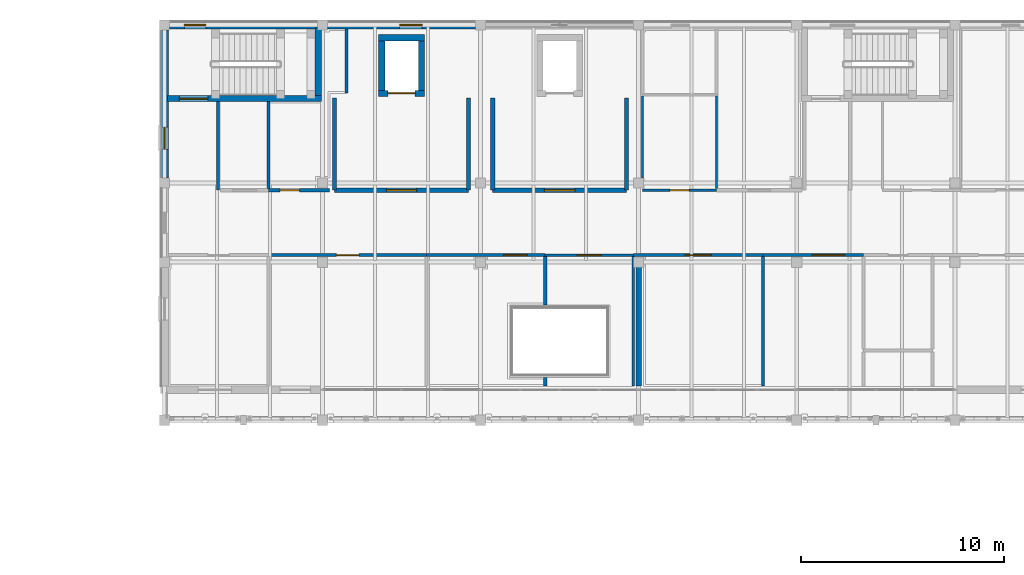
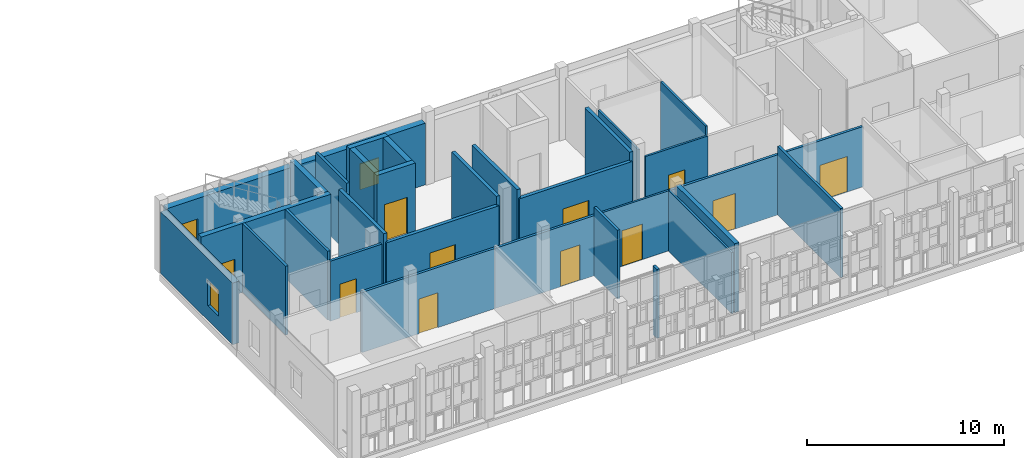
# One storey, part 69 of 89: 32 walls, 11 doors, 3 windows, 14 openings.
"""IFC4 building model written with IfcOpenShell, lengths in metres."""

from ifc_helpers import new_model, si_unit, direction, frame, frame_2d, origin, place, context, subcontext, project, spatial, rectangle, extrude, material, layer, layer_set, type_object, element, fill, save


model = new_model("IFC4")

# Units and contexts
model_context = context("Model", 3, precision=1e-05, world=origin(), true_north=direction((0.0, 1.0)))
body_context = subcontext(model_context, "Body", "Model", "MODEL_VIEW")
ifc_project = project(units=[si_unit("LENGTHUNIT", "METRE"), si_unit("AREAUNIT", "SQUARE_METRE"), si_unit("VOLUMEUNIT", "CUBIC_METRE"), si_unit("PLANEANGLEUNIT", "RADIAN"), si_unit("MASSUNIT", "GRAM", prefix="KILO")], contexts=[model_context])

# Site, building, storey
site_placement = place(None, origin())
site = spatial("IfcSite", under=ifc_project, at=site_placement, CompositionType="ELEMENT")
building_placement = place(site_placement, origin())
building = spatial("IfcBuilding", under=site, at=building_placement, Name="Celorna Specialist Clinic", CompositionType="ELEMENT")
storey_placement = place(building_placement, frame((0.0, 0.0, 14.10009765625)))
storey = spatial("IfcBuildingStorey", under=building, at=storey_placement, Name="L03", CompositionType="ELEMENT", Elevation=14.10009765625)

# Wall, opening, window
ifc_material_1 = material(Name="Terracotta masonry with insulated cavity", Category="masonry")
ifc_layer_1 = layer(ifc_material_1, 0.3798828125, Name="Terracotta masonry with insulated cavity")
ifc_layer_set_1 = layer_set([ifc_layer_1], Name="Terracotta masonry with insulated cavity")
wall_type_1 = type_object("IfcWallType", Name="WT-06", PredefinedType="STANDARD", material=ifc_layer_set_1)
wall_1_placement = place(storey_placement, frame((47.050048828125, 116.0, 0.0), z_axis=(0.0, 0.0, 1.0), x_axis=(1.0, 0.0, 0.0)))
wall_1 = element("IfcWall", 1, at=wall_1_placement, inside=storey, type_object=wall_type_1, Name="External facade wall WT-06 #257", PredefinedType="STANDARD", context=body_context, shape_type="SweptSolid", body=[
    extrude(rectangle(XDim=7.300048828125, YDim=0.3798828125, at=frame_2d((3.64990234375, 0.0))), origin(), (0.0, 0.0, 1.0), 3.81982421875),
])
opening_1_placement = place(wall_1_placement, frame((0.739990234375, 0.0, 0.89990234375)))
opening_1 = element("IfcOpeningElement", 2, at=opening_1_placement, cuts=wall_1, Name="Opening WN-21", PredefinedType="OPENING", context=body_context, shape_type="SweptSolid", body=[
    extrude(rectangle(XDim=1.050048828125, YDim=1.64990234375, at=frame_2d((0.52490234375, 0.824951171875))), frame((0.0, 0.199951171875, 0.0), z_axis=(0.0, -1.0, 0.0), x_axis=(1.0, 0.0, 0.0)), (0.0, 0.0, 1.0), 0.39990234375),
])
ifc_material_2 = material(Name="Thermally broken aluminium triple-glazed window", Category="aluminium")
window_type_1 = type_object("IfcWindowType", Name="WN-21", PartitioningType="SINGLE_PANEL", PredefinedType="WINDOW", material=ifc_material_2)
window_1_placement = place(opening_1_placement, origin())
window_1 = element("IfcWindow", 3, at=window_1_placement, inside=storey, type_object=window_type_1, Name="Facade window WN-21 #136", OverallHeight=1.64990234375, OverallWidth=1.050048828125, PartitioningType="SINGLE_PANEL", PredefinedType="WINDOW", context=body_context, shape_type="SweptSolid", body=[
    extrude(rectangle(XDim=1.050048828125, YDim=1.64990234375, at=frame_2d((0.52490234375, 0.824951171875))), frame((0.0, 0.030029296875, 0.0), z_axis=(0.0, -1.0, 0.0), x_axis=(1.0, 0.0, 0.0)), (0.0, 0.0, 1.0), 0.06005859375),
])
fill(opening_1, window_1)

wall_2_placement = place(storey_placement, frame((54.85009765625, 116.0, 0.0), z_axis=(0.0, 0.0, 1.0), x_axis=(1.0, 0.0, 0.0)))
wall_2 = element("IfcWall", 4, at=wall_2_placement, inside=storey, type_object=wall_type_1, Name="External facade wall WT-06 #258", PredefinedType="STANDARD", context=body_context, shape_type="SweptSolid", body=[
    extrude(rectangle(XDim=7.2998046875, YDim=0.3798828125, at=frame_2d((3.64990234375, 0.0))), origin(), (0.0, 0.0, 1.0), 3.81982421875),
])
opening_2_placement = place(wall_2_placement, frame((3.56005859375, 0.0, 0.89990234375)))
opening_2 = element("IfcOpeningElement", 5, at=opening_2_placement, cuts=wall_2, Name="Opening WN-03", PredefinedType="OPENING", context=body_context, shape_type="SweptSolid", body=[
    extrude(rectangle(XDim=1.10009765625, YDim=1.60009765625, at=frame_2d((0.550048828125, 0.800048828125))), frame((0.0, 0.199951171875, 0.0), z_axis=(0.0, -1.0, 0.0), x_axis=(1.0, 0.0, 0.0)), (0.0, 0.0, 1.0), 0.39990234375),
])
window_type_2 = type_object("IfcWindowType", Name="WN-03", PartitioningType="SINGLE_PANEL", PredefinedType="WINDOW", material=ifc_material_2)
window_2_placement = place(opening_2_placement, origin())
window_2 = element("IfcWindow", 6, at=window_2_placement, inside=storey, type_object=window_type_2, Name="Facade window WN-03 #137", OverallHeight=1.60009765625, OverallWidth=1.10009765625, PartitioningType="SINGLE_PANEL", PredefinedType="WINDOW", context=body_context, shape_type="SweptSolid", body=[
    extrude(rectangle(XDim=1.10009765625, YDim=1.60009765625, at=frame_2d((0.550048828125, 0.800048828125))), frame((0.0, 0.030029296875, 0.0), z_axis=(0.0, -1.0, 0.0), x_axis=(1.0, 0.0, 0.0)), (0.0, 0.0, 1.0), 0.06005859375),
])
fill(opening_2, window_2)

wall_3_placement = place(storey_placement, frame((46.800048828125, 108.449951171875, 0.0), z_axis=(0.0, 0.0, 1.0), x_axis=(0.0, 1.0, 0.0)))
wall_3 = element("IfcWall", 7, at=wall_3_placement, inside=storey, type_object=wall_type_1, Name="External facade wall WT-06 #270", PredefinedType="STANDARD", context=body_context, shape_type="SweptSolid", body=[
    extrude(rectangle(XDim=7.300048828125, YDim=0.3798828125, at=frame_2d((3.64990234375, 0.0))), origin(), (0.0, 0.0, 1.0), 3.81982421875),
])
opening_3_placement = place(wall_3_placement, frame((1.419921875, 0.0, 0.89990234375)))
opening_3 = element("IfcOpeningElement", 8, at=opening_3_placement, cuts=wall_3, Name="Opening WN-03", PredefinedType="OPENING", context=body_context, shape_type="SweptSolid", body=[
    extrude(rectangle(XDim=1.10009765625, YDim=1.60009765625, at=frame_2d((0.550048828125, 0.800048828125))), frame((0.0, 0.199951171875, 0.0), z_axis=(0.0, -1.0, 0.0), x_axis=(1.0, 0.0, 0.0)), (0.0, 0.0, 1.0), 0.39990234375),
])
window_3_placement = place(opening_3_placement, origin())
window_3 = element("IfcWindow", 9, at=window_3_placement, inside=storey, type_object=window_type_2, Name="Facade window WN-03 #148", OverallHeight=1.60009765625, OverallWidth=1.10009765625, PartitioningType="SINGLE_PANEL", PredefinedType="WINDOW", context=body_context, shape_type="SweptSolid", body=[
    extrude(rectangle(XDim=1.10009765625, YDim=1.60009765625, at=frame_2d((0.550048828125, 0.800048828125))), frame((0.0, 0.030029296875, 0.0), z_axis=(0.0, -1.0, 0.0), x_axis=(1.0, 0.0, 0.0)), (0.0, 0.0, 1.0), 0.06005859375),
])
fill(opening_3, window_3)

# Wall, opening, door
ifc_material_3 = material(Name="Concrete C35/45", Category="concrete")
ifc_layer_2 = layer(ifc_material_3, 0.300048828125, Name="Concrete C35/45")
ifc_layer_set_2 = layer_set([ifc_layer_2], Name="Concrete C35/45")
wall_type_2 = type_object("IfcWallType", Name="WT-08", PredefinedType="SHEAR", material=ifc_layer_set_2)
wall_4_placement = place(storey_placement, frame((46.949951171875, 112.3701171875, 0.0), z_axis=(0.0, 0.0, 1.0), x_axis=(1.0, 0.0, 0.0)))
wall_4 = element("IfcWall", 10, at=wall_4_placement, inside=storey, type_object=wall_type_2, Name="Stair ST-01 RC core wall L03 south", PredefinedType="SHEAR", context=body_context, shape_type="SweptSolid", body=[
    extrude(rectangle(XDim=7.590087890625, YDim=0.300048828125, at=frame_2d((3.794921875, 0.0))), origin(), (0.0, 0.0, 1.0), 4.260009765625),
])
opening_4_placement = place(wall_4_placement, frame((0.590087890625, 0.0, 0.0)))
opening_4 = element("IfcOpeningElement", 11, at=opening_4_placement, cuts=wall_4, Name="Opening DR-10", PredefinedType="OPENING", context=body_context, shape_type="SweptSolid", body=[
    extrude(rectangle(XDim=1.39990234375, YDim=2.199951171875, at=frame_2d((0.699951171875, 1.10009765625))), frame((0.0, 0.159912109375, 0.0), z_axis=(0.0, -1.0, 0.0), x_axis=(1.0, 0.0, 0.0)), (0.0, 0.0, 1.0), 0.320068359375),
])
ifc_material_4 = material(Name="Protected exit stair fire door")
door_type_1 = type_object("IfcDoorType", Name="DR-10", OperationType="NOTDEFINED", PredefinedType="DOOR", material=ifc_material_4)
door_1_placement = place(opening_4_placement, origin())
door_1 = element("IfcDoor", 12, at=door_1_placement, inside=storey, type_object=door_type_1, Name="Protected exit stair door ST-01 L03", OperationType="SINGLE_SWING_RIGHT", OverallHeight=2.199951171875, OverallWidth=1.39990234375, PredefinedType="DOOR", context=body_context, shape_type="SweptSolid", body=[
    extrude(rectangle(XDim=1.39990234375, YDim=2.199951171875, at=frame_2d((0.699951171875, 1.10009765625))), frame((0.0, 0.02490234375, 0.0), z_axis=(0.0, -1.0, 0.0), x_axis=(1.0, 0.0, 0.0)), (0.0, 0.0, 1.0), 0.050048828125),
])
fill(opening_4, door_1)

# Wall
wall_5_placement = place(storey_placement, frame((54.389892578125, 112.52001953125, 0.0), z_axis=(0.0, 0.0, 1.0), x_axis=(0.0, 1.0, 0.0)))
element("IfcWall", 13, at=wall_5_placement, inside=storey, type_object=wall_type_2, Name="Stair ST-01 RC core wall L03 east", PredefinedType="SHEAR", context=body_context, shape_type="SweptSolid", body=[
    extrude(rectangle(XDim=3.330078125, YDim=0.300048828125, at=frame_2d((1.6650390625, 0.0))), origin(), (0.0, 0.0, 1.0), 4.260009765625),
])

# Wall, opening, door
wall_6_placement = place(storey_placement, frame((57.375, 112.625, 0.0), z_axis=(0.0, 0.0, 1.0), x_axis=(1.0, 0.0, 0.0)))
wall_6 = element("IfcWall", 14, at=wall_6_placement, inside=storey, type_object=wall_type_2, Name="Lift LF-01 RC shaft wall L03", PredefinedType="SHEAR", context=body_context, shape_type="SweptSolid", body=[
    extrude(rectangle(XDim=2.25, YDim=0.300048828125, at=frame_2d((1.125, 0.0))), origin(), (0.0, 0.0, 1.0), 4.260009765625),
])
opening_5_placement = place(wall_6_placement, frame((0.449951171875, 0.0, 0.0)))
opening_5 = element("IfcOpeningElement", 15, at=opening_5_placement, cuts=wall_6, Name="Opening LD-02", PredefinedType="OPENING", context=body_context, shape_type="SweptSolid", body=[
    extrude(rectangle(XDim=1.35009765625, YDim=2.300048828125, at=frame_2d((0.675048828125, 1.14990234375))), frame((0.0, 0.159912109375, 0.0), z_axis=(0.0, -1.0, 0.0), x_axis=(1.0, 0.0, 0.0)), (0.0, 0.0, 1.0), 0.320068359375),
])
ifc_material_5 = material(Name="Firefighting stretcher lift landing sliding door")
door_type_2 = type_object("IfcDoorType", Name="LD-02", OperationType="DOUBLE_DOOR_SLIDING", PredefinedType="DOOR", material=ifc_material_5)
door_2_placement = place(opening_5_placement, origin())
door_2 = element("IfcDoor", 16, at=door_2_placement, inside=storey, type_object=door_type_2, Name="Lift LF-01 sliding landing door L03", OperationType="DOUBLE_DOOR_SLIDING", OverallHeight=2.300048828125, OverallWidth=1.35009765625, PredefinedType="DOOR", context=body_context, shape_type="SweptSolid", body=[
    extrude(rectangle(XDim=1.35009765625, YDim=2.300048828125, at=frame_2d((0.675048828125, 1.14990234375))), frame((0.0, 0.02490234375, 0.0), z_axis=(0.0, -1.0, 0.0), x_axis=(1.0, 0.0, 0.0)), (0.0, 0.0, 1.0), 0.050048828125),
])
fill(opening_5, door_2)

# Walls
wall_7_placement = place(storey_placement, frame((59.625, 115.375, 0.0), z_axis=(0.0, 0.0, 1.0), x_axis=(-1.0, 0.0, 0.0)))
element("IfcWall", 17, at=wall_7_placement, inside=storey, type_object=wall_type_2, Name="Lift LF-01 RC shaft wall L03", PredefinedType="SHEAR", context=body_context, shape_type="SweptSolid", body=[
    extrude(rectangle(XDim=2.25, YDim=0.300048828125, at=frame_2d((1.125, 0.0))), origin(), (0.0, 0.0, 1.0), 4.260009765625),
])
for number, where, z_axis, x_axis, name in (
    (18, (57.52490234375, 115.22509765625, 0.0), (0.0, 0.0, 1.0), (0.0, -1.0, 0.0), "Lift LF-01 RC shaft wall L03"),
    (19, (59.47509765625, 112.77490234375, 0.0), (0.0, 0.0, 1.0), (0.0, 1.0, 0.0), "Lift LF-01 RC shaft wall L03"),
):
    element("IfcWall", number, at=place(storey_placement, frame(where, z_axis=z_axis, x_axis=x_axis)), inside=storey, type_object=wall_type_2, Name=name, PredefinedType="SHEAR", context=body_context, shape_type="SweptSolid", body=[
        extrude(rectangle(XDim=2.4501953125, YDim=0.300048828125, at=frame_2d((1.22509765625, 0.0))), origin(), (0.0, 0.0, 1.0), 4.260009765625),
    ])
ifc_layer_3 = layer(ifc_material_3, 0.260009765625, Name="Concrete C35/45")
ifc_layer_set_3 = layer_set([ifc_layer_3], Name="Concrete C35/45")
wall_type_3 = type_object("IfcWallType", Name="WT-10", PredefinedType="SHEAR", material=ifc_layer_set_3)
wall_8_placement = place(storey_placement, frame((70.199951171875, 98.18994140625, 0.0), z_axis=(0.0, 0.0, 1.0), x_axis=(0.0, 1.0, 0.0)))
element("IfcWall", 20, at=wall_8_placement, inside=storey, type_object=wall_type_3, Name="Structural RC shear wall WT-10 V4 L03", PredefinedType="SHEAR", context=body_context, shape_type="SweptSolid", body=[
    extrude(rectangle(XDim=5.9599609375, YDim=0.260009765625, at=frame_2d((2.97998046875, 0.0))), origin(), (0.0, 0.0, 1.0), 4.260009765625),
])

# Wall, opening, door
ifc_layer_4 = layer(ifc_material_3, 0.199951171875, Name="Concrete C35/45")
ifc_layer_set_4 = layer_set([ifc_layer_4], Name="Concrete C35/45")
wall_type_4 = type_object("IfcWallType", Name="WT-12", PredefinedType="SOLIDWALL", material=ifc_layer_set_4)
wall_9_placement = place(storey_placement, frame((55.199951171875, 107.85009765625, 0.0), z_axis=(0.0, 0.0, 1.0), x_axis=(1.0, 0.0, 0.0)))
wall_9 = element("IfcWall", 21, at=wall_9_placement, inside=storey, type_object=wall_type_4, Name="Firefighting lobby wall LF-01 L03", PredefinedType="SOLIDWALL", context=body_context, shape_type="SweptSolid", body=[
    extrude(rectangle(XDim=6.60009765625, YDim=0.199951171875, at=frame_2d((3.300048828125, 0.0))), origin(), (0.0, 0.0, 1.0), 3.719970703125),
])
opening_6_placement = place(wall_9_placement, frame((2.550048828125, 0.0, 0.0)))
opening_6 = element("IfcOpeningElement", 22, at=opening_6_placement, cuts=wall_9, Name="Opening DR-11", PredefinedType="OPENING", context=body_context, shape_type="SweptSolid", body=[
    extrude(rectangle(XDim=1.5, YDim=2.199951171875, at=frame_2d((0.75, 1.10009765625))), frame((0.0, 0.10986328125, 0.0), z_axis=(0.0, -1.0, 0.0), x_axis=(1.0, 0.0, 0.0)), (0.0, 0.0, 1.0), 0.219970703125),
])
ifc_material_6 = material(Name="Firefighting lobby double fire door")
door_type_3 = type_object("IfcDoorType", Name="DR-11", OperationType="DOUBLE_DOOR_SINGLE_SWING", PredefinedType="DOOR", material=ifc_material_6)
door_3_placement = place(opening_6_placement, origin())
door_3 = element("IfcDoor", 23, at=door_3_placement, inside=storey, type_object=door_type_3, Name="Firefighting lobby fire door LF-01 L03", OperationType="DOUBLE_DOOR_SINGLE_SWING", OverallHeight=2.199951171875, OverallWidth=1.5, PredefinedType="DOOR", context=body_context, shape_type="SweptSolid", body=[
    extrude(rectangle(XDim=1.5, YDim=2.199951171875, at=frame_2d((0.75, 1.10009765625))), frame((0.0, 0.02490234375, 0.0), z_axis=(0.0, -1.0, 0.0), x_axis=(1.0, 0.0, 0.0)), (0.0, 0.0, 1.0), 0.050048828125),
])
fill(opening_6, door_3)

# Walls
for number, where, z_axis, x_axis, name in (
    (24, (55.199951171875, 112.39990234375, 0.0), (0.0, 0.0, 1.0), (0.0, -1.0, 0.0), "Firefighting lobby wall LF-01 L03"),
    (25, (61.800048828125, 107.85009765625, 0.0), (0.0, 0.0, 1.0), (0.0, 1.0, 0.0), "Firefighting lobby wall LF-01 L03"),
):
    element("IfcWall", number, at=place(storey_placement, frame(where, z_axis=z_axis, x_axis=x_axis)), inside=storey, type_object=wall_type_4, Name=name, PredefinedType="SOLIDWALL", context=body_context, shape_type="SweptSolid", body=[
        extrude(rectangle(XDim=4.5498046875, YDim=0.199951171875, at=frame_2d((2.27490234375, 0.0))), origin(), (0.0, 0.0, 1.0), 4.260009765625),
    ])

# Wall, opening, door
wall_10_placement = place(storey_placement, frame((63.0, 107.85009765625, 0.0), z_axis=(0.0, 0.0, 1.0), x_axis=(1.0, 0.0, 0.0)))
wall_10 = element("IfcWall", 26, at=wall_10_placement, inside=storey, type_object=wall_type_4, Name="Firefighting lobby wall LF-02 L03", PredefinedType="SOLIDWALL", context=body_context, shape_type="SweptSolid", body=[
    extrude(rectangle(XDim=6.60009765625, YDim=0.199951171875, at=frame_2d((3.300048828125, 0.0))), origin(), (0.0, 0.0, 1.0), 3.719970703125),
])
opening_7_placement = place(wall_10_placement, frame((2.550048828125, 0.0, 0.0)))
opening_7 = element("IfcOpeningElement", 27, at=opening_7_placement, cuts=wall_10, Name="Opening DR-11", PredefinedType="OPENING", context=body_context, shape_type="SweptSolid", body=[
    extrude(rectangle(XDim=1.5, YDim=2.199951171875, at=frame_2d((0.75, 1.10009765625))), frame((0.0, 0.10986328125, 0.0), z_axis=(0.0, -1.0, 0.0), x_axis=(1.0, 0.0, 0.0)), (0.0, 0.0, 1.0), 0.219970703125),
])
door_4_placement = place(opening_7_placement, origin())
door_4 = element("IfcDoor", 28, at=door_4_placement, inside=storey, type_object=door_type_3, Name="Firefighting lobby fire door LF-02 L03", OperationType="DOUBLE_DOOR_SINGLE_SWING", OverallHeight=2.199951171875, OverallWidth=1.5, PredefinedType="DOOR", context=body_context, shape_type="SweptSolid", body=[
    extrude(rectangle(XDim=1.5, YDim=2.199951171875, at=frame_2d((0.75, 1.10009765625))), frame((0.0, 0.02490234375, 0.0), z_axis=(0.0, -1.0, 0.0), x_axis=(1.0, 0.0, 0.0)), (0.0, 0.0, 1.0), 0.050048828125),
])
fill(opening_7, door_4)

# Walls
for number, where, z_axis, x_axis, name in (
    (29, (63.0, 112.39990234375, 0.0), (0.0, 0.0, 1.0), (0.0, -1.0, 0.0), "Firefighting lobby wall LF-02 L03"),
    (30, (69.60009765625, 107.85009765625, 0.0), (0.0, 0.0, 1.0), (0.0, 1.0, 0.0), "Firefighting lobby wall LF-02 L03"),
):
    element("IfcWall", number, at=place(storey_placement, frame(where, z_axis=z_axis, x_axis=x_axis)), inside=storey, type_object=wall_type_4, Name=name, PredefinedType="SOLIDWALL", context=body_context, shape_type="SweptSolid", body=[
        extrude(rectangle(XDim=4.5498046875, YDim=0.199951171875, at=frame_2d((2.27490234375, 0.0))), origin(), (0.0, 0.0, 1.0), 4.260009765625),
    ])
ifc_material_7 = material(Name="Fire-rated gypsum board partition")
ifc_layer_5 = layer(ifc_material_7, 0.14990234375, Name="Fire-rated gypsum board partition")
ifc_layer_set_5 = layer_set([ifc_layer_5], Name="Fire-rated gypsum board partition")
wall_type_5 = type_object("IfcWallType", Name="WT-14", PredefinedType="PARTITIONING", material=ifc_layer_set_5)
wall_11_placement = place(storey_placement, frame((49.43994140625, 107.85009765625, 0.0), z_axis=(0.0, 0.0, 1.0), x_axis=(0.0, 1.0, 0.0)))
element("IfcWall", 31, at=wall_11_placement, inside=storey, type_object=wall_type_5, Name="Corridor spur partition WT-14", PredefinedType="PARTITIONING", context=body_context, shape_type="SweptSolid", body=[
    extrude(rectangle(XDim=4.369873046875, YDim=0.14990234375, at=frame_2d((2.18505859375, 0.0))), origin(), (0.0, 0.0, 1.0), 4.260009765625),
])

# Wall, opening, door
wall_12_placement = place(storey_placement, frame((59.739990234375, 104.64990234375, 0.0), z_axis=(0.0, 0.0, 1.0), x_axis=(-1.0, 0.0, 0.0)))
wall_12 = element("IfcWall", 32, at=wall_12_placement, inside=storey, type_object=wall_type_5, Name="Interior partition WT-14 L03-013", PredefinedType="PARTITIONING", context=body_context, shape_type="SweptSolid", body=[
    extrude(rectangle(XDim=7.800048828125, YDim=0.14990234375, at=frame_2d((3.89990234375, 0.0))), origin(), (0.0, 0.0, 1.0), 3.719970703125),
])
opening_8_placement = place(wall_12_placement, frame((3.35009765625, 0.0, 0.0)))
opening_8 = element("IfcOpeningElement", 33, at=opening_8_placement, cuts=wall_12, Name="Opening DR-06", PredefinedType="OPENING", context=body_context, shape_type="SweptSolid", body=[
    extrude(rectangle(XDim=1.10009765625, YDim=2.14990234375, at=frame_2d((0.550048828125, 1.074951171875))), frame((0.0, 0.0849609375, 0.0), z_axis=(0.0, -1.0, 0.0), x_axis=(1.0, 0.0, 0.0)), (0.0, 0.0, 1.0), 0.169921875),
])
ifc_material_8 = material(Name="Clinical treatment suite door")
door_type_4 = type_object("IfcDoorType", Name="DR-06", OperationType="NOTDEFINED", PredefinedType="DOOR", material=ifc_material_8)
door_5_placement = place(opening_8_placement, origin())
door_5 = element("IfcDoor", 34, at=door_5_placement, inside=storey, type_object=door_type_4, Name="Cardiac Treadmill Stress Testing Room door L03-013", OperationType="SINGLE_SWING_LEFT", OverallHeight=2.14990234375, OverallWidth=1.10009765625, PredefinedType="DOOR", context=body_context, shape_type="SweptSolid", body=[
    extrude(rectangle(XDim=1.10009765625, YDim=2.14990234375, at=frame_2d((0.550048828125, 1.074951171875))), frame((0.0, 0.02490234375, 0.0), z_axis=(0.0, -1.0, 0.0), x_axis=(1.0, 0.0, 0.0)), (0.0, 0.0, 1.0), 0.050048828125),
])
fill(opening_8, door_5)

wall_13_placement = place(storey_placement, frame((65.590087890625, 104.64990234375, 0.0), z_axis=(0.0, 0.0, 1.0), x_axis=(-1.0, 0.0, 0.0)))
wall_13 = element("IfcWall", 35, at=wall_13_placement, inside=storey, type_object=wall_type_5, Name="Interior partition WT-14 L03-014", PredefinedType="PARTITIONING", context=body_context, shape_type="SweptSolid", body=[
    extrude(rectangle(XDim=5.85009765625, YDim=0.14990234375, at=frame_2d((2.925048828125, 0.0))), origin(), (0.0, 0.0, 1.0), 3.719970703125),
])
opening_9_placement = place(wall_13_placement, frame((0.887451171875, 0.0, 0.0)))
opening_9 = element("IfcOpeningElement", 36, at=opening_9_placement, cuts=wall_13, Name="Opening DR-07", PredefinedType="OPENING", context=body_context, shape_type="SweptSolid", body=[
    extrude(rectangle(XDim=1.14990234375, YDim=2.199951171875, at=frame_2d((0.574951171875, 1.10009765625))), frame((0.0, 0.0849609375, 0.0), z_axis=(0.0, -1.0, 0.0), x_axis=(1.0, 0.0, 0.0)), (0.0, 0.0, 1.0), 0.169921875),
])
ifc_material_9 = material(Name="Hermetic cleanroom airlock door")
door_type_5 = type_object("IfcDoorType", Name="DR-07", OperationType="NOTDEFINED", PredefinedType="DOOR", material=ifc_material_9)
door_6_placement = place(opening_9_placement, origin())
door_6 = element("IfcDoor", 37, at=door_6_placement, inside=storey, type_object=door_type_5, Name="Neurology Electroencephalography Suite door L03-014", OperationType="SINGLE_SWING_RIGHT", OverallHeight=2.199951171875, OverallWidth=1.14990234375, PredefinedType="DOOR", context=body_context, shape_type="SweptSolid", body=[
    extrude(rectangle(XDim=1.14990234375, YDim=2.199951171875, at=frame_2d((0.574951171875, 1.10009765625))), frame((0.0, 0.02490234375, 0.0), z_axis=(0.0, -1.0, 0.0), x_axis=(1.0, 0.0, 0.0)), (0.0, 0.0, 1.0), 0.050048828125),
])
fill(opening_9, door_6)

wall_14_placement = place(storey_placement, frame((76.340087890625, 104.64990234375, 0.0), z_axis=(0.0, 0.0, 1.0), x_axis=(-1.0, 0.0, 0.0)))
wall_14 = element("IfcWall", 38, at=wall_14_placement, inside=storey, type_object=wall_type_5, Name="Interior partition WT-14 L03-016", PredefinedType="PARTITIONING", context=body_context, shape_type="SweptSolid", body=[
    extrude(rectangle(XDim=6.400146484375, YDim=0.14990234375, at=frame_2d((3.2001953125, 0.0))), origin(), (0.0, 0.0, 1.0), 3.719970703125),
])
opening_10_placement = place(wall_14_placement, frame((2.550048828125, 0.0, 0.0)))
opening_10 = element("IfcOpeningElement", 39, at=opening_10_placement, cuts=wall_14, Name="Opening DR-09", PredefinedType="OPENING", context=body_context, shape_type="SweptSolid", body=[
    extrude(rectangle(XDim=1.300048828125, YDim=2.199951171875, at=frame_2d((0.64990234375, 1.10009765625))), frame((0.0, 0.0849609375, 0.0), z_axis=(0.0, -1.0, 0.0), x_axis=(1.0, 0.0, 0.0)), (0.0, 0.0, 1.0), 0.169921875),
])
ifc_material_10 = material(Name="Lead-lined radiology room door")
door_type_6 = type_object("IfcDoorType", Name="DR-09", OperationType="NOTDEFINED", PredefinedType="DOOR", material=ifc_material_10)
door_7_placement = place(opening_10_placement, origin())
door_7 = element("IfcDoor", 40, at=door_7_placement, inside=storey, type_object=door_type_6, Name="Consulting Room door L03-016", OperationType="SINGLE_SWING_RIGHT", OverallHeight=2.199951171875, OverallWidth=1.300048828125, PredefinedType="DOOR", context=body_context, shape_type="SweptSolid", body=[
    extrude(rectangle(XDim=1.300048828125, YDim=2.199951171875, at=frame_2d((0.64990234375, 1.10009765625))), frame((0.0, 0.02490234375, 0.0), z_axis=(0.0, -1.0, 0.0), x_axis=(1.0, 0.0, 0.0)), (0.0, 0.0, 1.0), 0.050048828125),
])
fill(opening_10, door_7)

wall_15_placement = place(storey_placement, frame((81.2900390625, 104.64990234375, 0.0), z_axis=(0.0, 0.0, 1.0), x_axis=(-1.0, 0.0, 0.0)))
wall_15 = element("IfcWall", 41, at=wall_15_placement, inside=storey, type_object=wall_type_5, Name="Interior partition WT-14 L03-017", PredefinedType="PARTITIONING", context=body_context, shape_type="SweptSolid", body=[
    extrude(rectangle(XDim=4.949951171875, YDim=0.14990234375, at=frame_2d((2.47509765625, 0.0))), origin(), (0.0, 0.0, 1.0), 3.719970703125),
])
opening_11_placement = place(wall_15_placement, frame((0.9326171875, 0.0, 0.0)))
opening_11 = element("IfcOpeningElement", 42, at=opening_11_placement, cuts=wall_15, Name="Opening DR-12", PredefinedType="OPENING", context=body_context, shape_type="SweptSolid", body=[
    extrude(rectangle(XDim=1.60009765625, YDim=2.199951171875, at=frame_2d((0.800048828125, 1.10009765625))), frame((0.0, 0.0849609375, 0.0), z_axis=(0.0, -1.0, 0.0), x_axis=(1.0, 0.0, 0.0)), (0.0, 0.0, 1.0), 0.169921875),
])
ifc_material_11 = material(Name="Corridor cross-compartment pair door")
door_type_7 = type_object("IfcDoorType", Name="DR-12", OperationType="DOUBLE_DOOR_SINGLE_SWING", PredefinedType="DOOR", material=ifc_material_11)
door_8_placement = place(opening_11_placement, origin())
door_8 = element("IfcDoor", 43, at=door_8_placement, inside=storey, type_object=door_type_7, Name="Outpatient Waiting Lounge door L03-017", OperationType="DOUBLE_DOOR_SINGLE_SWING", OverallHeight=2.199951171875, OverallWidth=1.60009765625, PredefinedType="DOOR", context=body_context, shape_type="SweptSolid", body=[
    extrude(rectangle(XDim=1.60009765625, YDim=2.199951171875, at=frame_2d((0.800048828125, 1.10009765625))), frame((0.0, 0.02490234375, 0.0), z_axis=(0.0, -1.0, 0.0), x_axis=(1.0, 0.0, 0.0)), (0.0, 0.0, 1.0), 0.050048828125),
])
fill(opening_11, door_8)

wall_16_placement = place(storey_placement, frame((51.93994140625, 107.85009765625, 0.0), z_axis=(0.0, 0.0, 1.0), x_axis=(1.0, 0.0, 0.0)))
wall_16 = element("IfcWall", 44, at=wall_16_placement, inside=storey, type_object=wall_type_5, Name="Interior partition WT-14 L03-028", PredefinedType="PARTITIONING", context=body_context, shape_type="SweptSolid", body=[
    extrude(rectangle(XDim=3.010009765625, YDim=0.14990234375, at=frame_2d((1.5048828125, 0.0))), origin(), (0.0, 0.0, 1.0), 3.719970703125),
])
opening_12_placement = place(wall_16_placement, frame((0.574951171875, 0.0, 0.0)))
opening_12 = element("IfcOpeningElement", 45, at=opening_12_placement, cuts=wall_16, Name="Opening DR-03", PredefinedType="OPENING", context=body_context, shape_type="SweptSolid", body=[
    extrude(rectangle(XDim=0.949951171875, YDim=2.10009765625, at=frame_2d((0.47509765625, 1.050048828125))), frame((0.0, 0.0849609375, 0.0), z_axis=(0.0, -1.0, 0.0), x_axis=(1.0, 0.0, 0.0)), (0.0, 0.0, 1.0), 0.169921875),
])
ifc_material_12 = material(Name="Moisture-resistant accessible WC door")
door_type_8 = type_object("IfcDoorType", Name="DR-03", OperationType="NOTDEFINED", PredefinedType="DOOR", material=ifc_material_12)
door_9_placement = place(opening_12_placement, origin())
door_9 = element("IfcDoor", 46, at=door_9_placement, inside=storey, type_object=door_type_8, Name="Accessible WC door L03-028", OperationType="SINGLE_SWING_RIGHT", OverallHeight=2.10009765625, OverallWidth=0.949951171875, PredefinedType="DOOR", context=body_context, shape_type="SweptSolid", body=[
    extrude(rectangle(XDim=0.949951171875, YDim=2.10009765625, at=frame_2d((0.47509765625, 1.050048828125))), frame((0.0, 0.02490234375, 0.0), z_axis=(0.0, -1.0, 0.0), x_axis=(1.0, 0.0, 0.0)), (0.0, 0.0, 1.0), 0.050048828125),
])
fill(opening_12, door_9)

# Walls
wall_17_placement = place(storey_placement, frame((65.590087890625, 98.18994140625, 0.0), z_axis=(0.0, 0.0, 1.0), x_axis=(0.0, 1.0, 0.0)))
element("IfcWall", 47, at=wall_17_placement, inside=storey, type_object=wall_type_5, Name="Room dividing partition WT-14 L03-014", PredefinedType="PARTITIONING", context=body_context, shape_type="SweptSolid", body=[
    extrude(rectangle(XDim=0.41015625, YDim=0.14990234375, at=frame_2d((0.205078125, 0.0))), origin(), (0.0, 0.0, 1.0), 4.260009765625),
])
wall_18_placement = place(storey_placement, frame((65.590087890625, 102.199951171875, 0.0), z_axis=(0.0, 0.0, 1.0), x_axis=(0.0, 1.0, 0.0)))
element("IfcWall", 48, at=wall_18_placement, inside=storey, type_object=wall_type_5, Name="Room dividing partition WT-14 L03-014", PredefinedType="PARTITIONING", context=body_context, shape_type="SweptSolid", body=[
    extrude(rectangle(XDim=2.375, YDim=0.14990234375, at=frame_2d((1.1875, 0.0))), origin(), (0.0, 0.0, 1.0), 4.260009765625),
])
wall_19_placement = place(storey_placement, frame((76.340087890625, 98.18994140625, 0.0), z_axis=(0.0, 0.0, 1.0), x_axis=(0.0, 1.0, 0.0)))
element("IfcWall", 49, at=wall_19_placement, inside=storey, type_object=wall_type_5, Name="Room dividing partition WT-14 L03-016", PredefinedType="PARTITIONING", context=body_context, shape_type="SweptSolid", body=[
    extrude(rectangle(XDim=6.385009765625, YDim=0.14990234375, at=frame_2d((3.1923828125, 0.0))), origin(), (0.0, 0.0, 1.0), 4.260009765625),
])
wall_20_placement = place(storey_placement, frame((51.93994140625, 107.925048828125, 0.0), z_axis=(0.0, 0.0, 1.0), x_axis=(0.0, 1.0, 0.0)))
element("IfcWall", 50, at=wall_20_placement, inside=storey, type_object=wall_type_5, Name="Room dividing partition WT-14 L03-027", PredefinedType="PARTITIONING", context=body_context, shape_type="SweptSolid", body=[
    extrude(rectangle(XDim=4.294921875, YDim=0.14990234375, at=frame_2d((2.1474609375, 0.0))), origin(), (0.0, 0.0, 1.0), 4.260009765625),
])
wall_21_placement = place(storey_placement, frame((55.7900390625, 112.64990234375, 0.0), z_axis=(0.0, 0.0, 1.0), x_axis=(0.0, 1.0, 0.0)))
element("IfcWall", 51, at=wall_21_placement, inside=storey, type_object=wall_type_5, Name="Room dividing partition WT-14 L03-028", PredefinedType="PARTITIONING", context=body_context, shape_type="SweptSolid", body=[
    extrude(rectangle(XDim=3.16015625, YDim=0.14990234375, at=frame_2d((1.580078125, 0.0))), origin(), (0.0, 0.0, 1.0), 4.260009765625),
])

# Wall, opening, door
ifc_material_13 = material(Name="Acoustic gypsum board partition")
ifc_layer_6 = layer(ifc_material_13, 0.1201171875, Name="Acoustic gypsum board partition")
ifc_layer_set_6 = layer_set([ifc_layer_6], Name="Acoustic gypsum board partition")
wall_type_6 = type_object("IfcWallType", Name="WT-15", PredefinedType="PARTITIONING", material=ifc_layer_set_6)
wall_22_placement = place(storey_placement, frame((69.93994140625, 104.64990234375, 0.0), z_axis=(0.0, 0.0, 1.0), x_axis=(-1.0, 0.0, 0.0)))
wall_22 = element("IfcWall", 52, at=wall_22_placement, inside=storey, type_object=wall_type_6, Name="Interior partition WT-15 L03-015", PredefinedType="PARTITIONING", context=body_context, shape_type="SweptSolid", body=[
    extrude(rectangle(XDim=4.349853515625, YDim=0.1201171875, at=frame_2d((2.1748046875, 0.0))), origin(), (0.0, 0.0, 1.0), 3.719970703125),
])
opening_13_placement = place(wall_22_placement, frame((1.574951171875, 0.0, 0.0)))
opening_13 = element("IfcOpeningElement", 53, at=opening_13_placement, cuts=wall_22, Name="Opening DR-08", PredefinedType="OPENING", context=body_context, shape_type="SweptSolid", body=[
    extrude(rectangle(XDim=1.199951171875, YDim=2.199951171875, at=frame_2d((0.60009765625, 1.10009765625))), frame((0.0, 0.070068359375, 0.0), z_axis=(0.0, -1.0, 0.0), x_axis=(1.0, 0.0, 0.0)), (0.0, 0.0, 1.0), 0.14013671875),
])
ifc_material_14 = material(Name="Stretcher-width clinical door")
door_type_9 = type_object("IfcDoorType", Name="DR-08", OperationType="NOTDEFINED", PredefinedType="DOOR", material=ifc_material_14)
door_10_placement = place(opening_13_placement, origin())
door_10 = element("IfcDoor", 54, at=door_10_placement, inside=storey, type_object=door_type_9, Name="Electromyography Diagnostic Room door L03-015", OperationType="SINGLE_SWING_LEFT", OverallHeight=2.199951171875, OverallWidth=1.199951171875, PredefinedType="DOOR", context=body_context, shape_type="SweptSolid", body=[
    extrude(rectangle(XDim=1.199951171875, YDim=2.199951171875, at=frame_2d((0.60009765625, 1.10009765625))), frame((0.0, 0.02490234375, 0.0), z_axis=(0.0, -1.0, 0.0), x_axis=(1.0, 0.0, 0.0)), (0.0, 0.0, 1.0), 0.050048828125),
])
fill(opening_13, door_10)

wall_23_placement = place(storey_placement, frame((70.389892578125, 107.85009765625, 0.0), z_axis=(0.0, 0.0, 1.0), x_axis=(1.0, 0.0, 0.0)))
wall_23 = element("IfcWall", 55, at=wall_23_placement, inside=storey, type_object=wall_type_6, Name="Interior partition WT-15 L03-029", PredefinedType="PARTITIONING", context=body_context, shape_type="SweptSolid", body=[
    extrude(rectangle(XDim=3.650146484375, YDim=0.1201171875, at=frame_2d((1.8251953125, 0.0))), origin(), (0.0, 0.0, 1.0), 3.719970703125),
])
opening_14_placement = place(wall_23_placement, frame((1.35009765625, 0.0, 0.0)))
opening_14 = element("IfcOpeningElement", 56, at=opening_14_placement, cuts=wall_23, Name="Opening DR-03", PredefinedType="OPENING", context=body_context, shape_type="SweptSolid", body=[
    extrude(rectangle(XDim=0.949951171875, YDim=2.10009765625, at=frame_2d((0.47509765625, 1.050048828125))), frame((0.0, 0.070068359375, 0.0), z_axis=(0.0, -1.0, 0.0), x_axis=(1.0, 0.0, 0.0)), (0.0, 0.0, 1.0), 0.14013671875),
])
door_11_placement = place(opening_14_placement, origin())
door_11 = element("IfcDoor", 57, at=door_11_placement, inside=storey, type_object=door_type_8, Name="Public Female WC door L03-029", OperationType="SINGLE_SWING_LEFT", OverallHeight=2.10009765625, OverallWidth=0.949951171875, PredefinedType="DOOR", context=body_context, shape_type="SweptSolid", body=[
    extrude(rectangle(XDim=0.949951171875, YDim=2.10009765625, at=frame_2d((0.47509765625, 1.050048828125))), frame((0.0, 0.02490234375, 0.0), z_axis=(0.0, -1.0, 0.0), x_axis=(1.0, 0.0, 0.0)), (0.0, 0.0, 1.0), 0.050048828125),
])
fill(opening_14, door_11)

# Walls
wall_24_placement = place(storey_placement, frame((69.93994140625, 98.18994140625, 0.0), z_axis=(0.0, 0.0, 1.0), x_axis=(0.0, 1.0, 0.0)))
element("IfcWall", 58, at=wall_24_placement, inside=storey, type_object=wall_type_6, Name="Room dividing partition WT-15 L03-015", PredefinedType="PARTITIONING", context=body_context, shape_type="SweptSolid", body=[
    extrude(rectangle(XDim=6.385009765625, YDim=0.1201171875, at=frame_2d((3.1923828125, 0.0))), origin(), (0.0, 0.0, 1.0), 3.77001953125),
])
wall_25_placement = place(storey_placement, frame((70.389892578125, 108.449951171875, 0.0), z_axis=(0.0, 0.0, 1.0), x_axis=(0.0, 1.0, 0.0)))
element("IfcWall", 59, at=wall_25_placement, inside=storey, type_object=wall_type_6, Name="Room dividing partition WT-15 L03-029", PredefinedType="PARTITIONING", context=body_context, shape_type="SweptSolid", body=[
    extrude(rectangle(XDim=4.0400390625, YDim=0.1201171875, at=frame_2d((2.02001953125, 0.0))), origin(), (0.0, 0.0, 1.0), 3.77001953125),
])
wall_26_placement = place(storey_placement, frame((74.0400390625, 107.925048828125, 0.0), z_axis=(0.0, 0.0, 1.0), x_axis=(0.0, 1.0, 0.0)))
element("IfcWall", 60, at=wall_26_placement, inside=storey, type_object=wall_type_6, Name="Room dividing partition WT-15 L03-029", PredefinedType="PARTITIONING", context=body_context, shape_type="SweptSolid", body=[
    extrude(rectangle(XDim=4.56494140625, YDim=0.1201171875, at=frame_2d((2.282470703125, 0.0))), origin(), (0.0, 0.0, 1.0), 4.260009765625),
])

save(model, "model.ifc")
